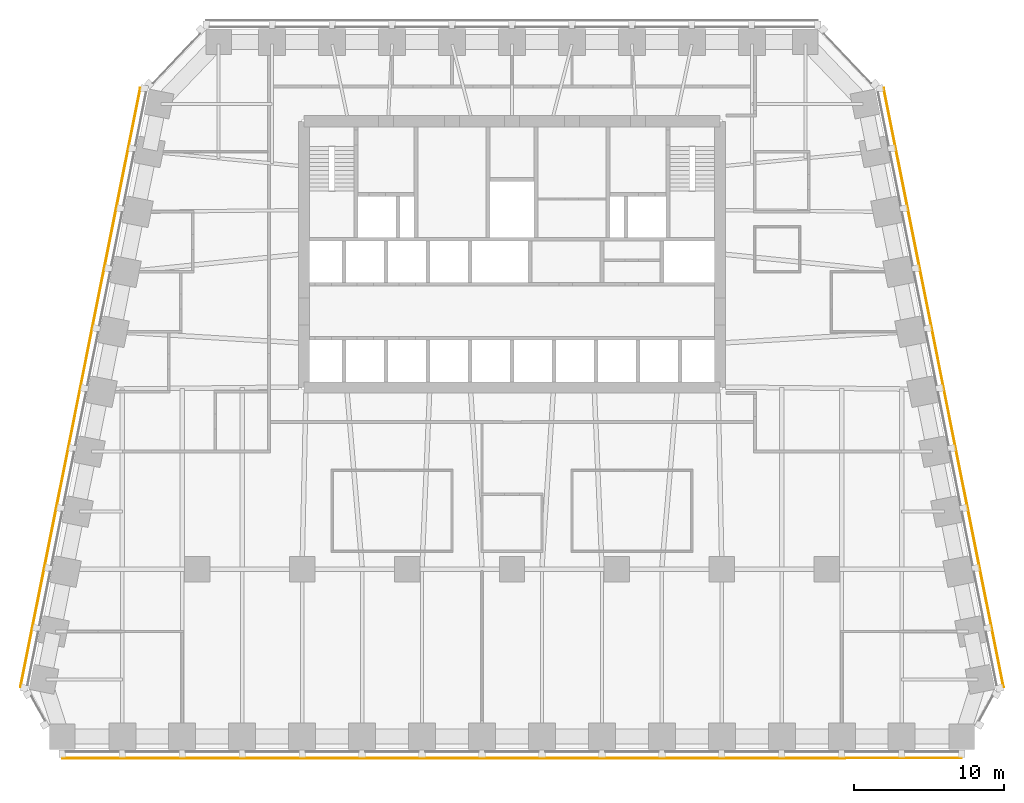
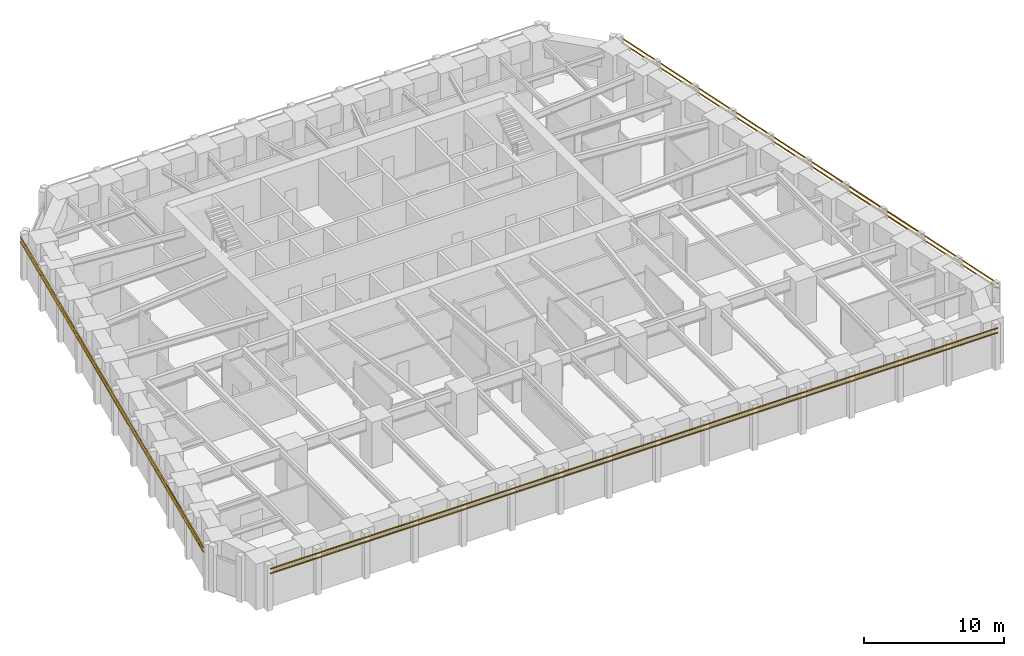
# One storey, part 9 of 10: 6 shading devices.
"""IFC4 building model written with IfcOpenShell, lengths in metres."""

from ifc_helpers import new_model, si_unit, direction, frame, origin, origin_2d, place, context, subcontext, project, spatial, rectangle, extrude, material, material_profile, profile_set, type_object, element, save


model = new_model("IFC4")

# Units and contexts
model_context = context("Model", 3, precision=1e-05, world=origin(), true_north=direction((0.0, 1.0)))
body_context = subcontext(model_context, "Body", "Model", "MODEL_VIEW")
ifc_project = project(units=[si_unit("LENGTHUNIT", "METRE"), si_unit("AREAUNIT", "SQUARE_METRE"), si_unit("VOLUMEUNIT", "CUBIC_METRE"), si_unit("PLANEANGLEUNIT", "RADIAN"), si_unit("MASSUNIT", "GRAM", prefix="KILO")], contexts=[model_context])

# Site, building, storey
site_placement = place(None, origin())
site = spatial("IfcSite", under=ifc_project, at=site_placement, CompositionType="ELEMENT")
building_placement = place(site_placement, origin())
building = spatial("IfcBuilding", under=site, at=building_placement, Name="Isbrekke Arena Tower", CompositionType="ELEMENT")
storey_placement = place(building_placement, frame((0.0, 0.0, 115.0)))
storey = spatial("IfcBuildingStorey", under=building, at=storey_placement, Name="L25", CompositionType="ELEMENT", Elevation=115.0)

# Shading devices
ifc_material = material(Name="Terracotta", Category="masonry")
ifc_material_profile = material_profile(ifc_material, rectangle(XDim=0.06005859375, YDim=0.06005859375, at=origin_2d()), Name="BAGUETTE 60X60")
ifc_profile_set = profile_set([ifc_material_profile], Name="Terracotta")
shading_device_type = type_object("IfcShadingDeviceType", Name="BG1 TERRACOTTA BAGUETTE 60 x 60", PredefinedType="USERDEFINED", material=ifc_profile_set)
for number, where, z_axis, x_axis, name in (
    (1, (-30.0, -18.60498046875, 3.280029296875), (1.0, 0.0, 0.0), (0.0, 1.0, 0.0), "BG1 terracotta baguette S1 L25"),
    (2, (-30.0, -18.60498046875, 3.679931640625), (1.0, 0.0, 0.0), (0.0, 1.0, 0.0), "BG1 terracotta baguette S2 L25"),
):
    element("IfcShadingDevice", number, at=place(storey_placement, frame(where, z_axis=z_axis, x_axis=x_axis)), inside=storey, type_object=shading_device_type, Name=name, ObjectType="TERRACOTTA BAGUETTE", PredefinedType="USERDEFINED", context=body_context, shape_type="SweptSolid", body=[
        extrude(rectangle(XDim=0.06005859375, YDim=0.06005859375, at=origin_2d()), origin(), (0.0, 0.0, 1.0), 60.0),
    ])
for number, where, z_axis, x_axis, name in (
    (3, (32.793212890625, -13.88134765625, 3.280029296875), (-0.196116135138, 0.980580675691, 0.0), (-0.980580675691, -0.196116135138, 0.0), "BG1 terracotta baguette E1 L25"),
    (4, (32.793212890625, -13.88134765625, 3.679931640625), (-0.196116135138, 0.980580675691, 0.0), (-0.980580675691, -0.196116135138, 0.0), "BG1 terracotta baguette E2 L25"),
    (5, (-24.793212890625, 26.11865234375, 3.280029296875), (-0.196116135138, -0.980580675691, 0.0), (0.980580675691, -0.196116135138, 0.0), "BG1 terracotta baguette W1 L25"),
    (6, (-24.793212890625, 26.11865234375, 3.679931640625), (-0.196116135138, -0.980580675691, 0.0), (0.980580675691, -0.196116135138, 0.0), "BG1 terracotta baguette W2 L25"),
):
    element("IfcShadingDevice", number, at=place(storey_placement, frame(where, z_axis=z_axis, x_axis=x_axis)), inside=storey, type_object=shading_device_type, Name=name, ObjectType="TERRACOTTA BAGUETTE", PredefinedType="USERDEFINED", context=body_context, shape_type="SweptSolid", body=[
        extrude(rectangle(XDim=0.06005859375, YDim=0.06005859375, at=origin_2d()), origin(), (0.0, 0.0, 1.0), 40.792236328125),
    ])

save(model, "model.ifc")
